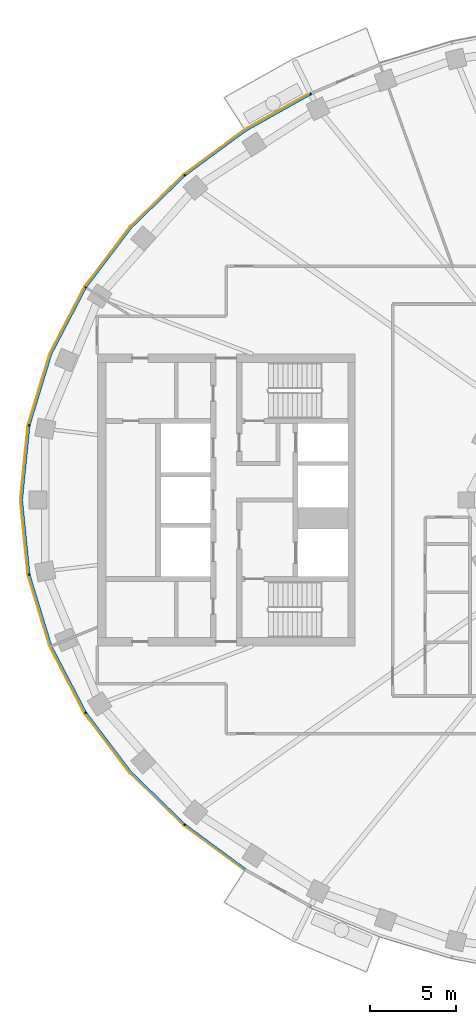
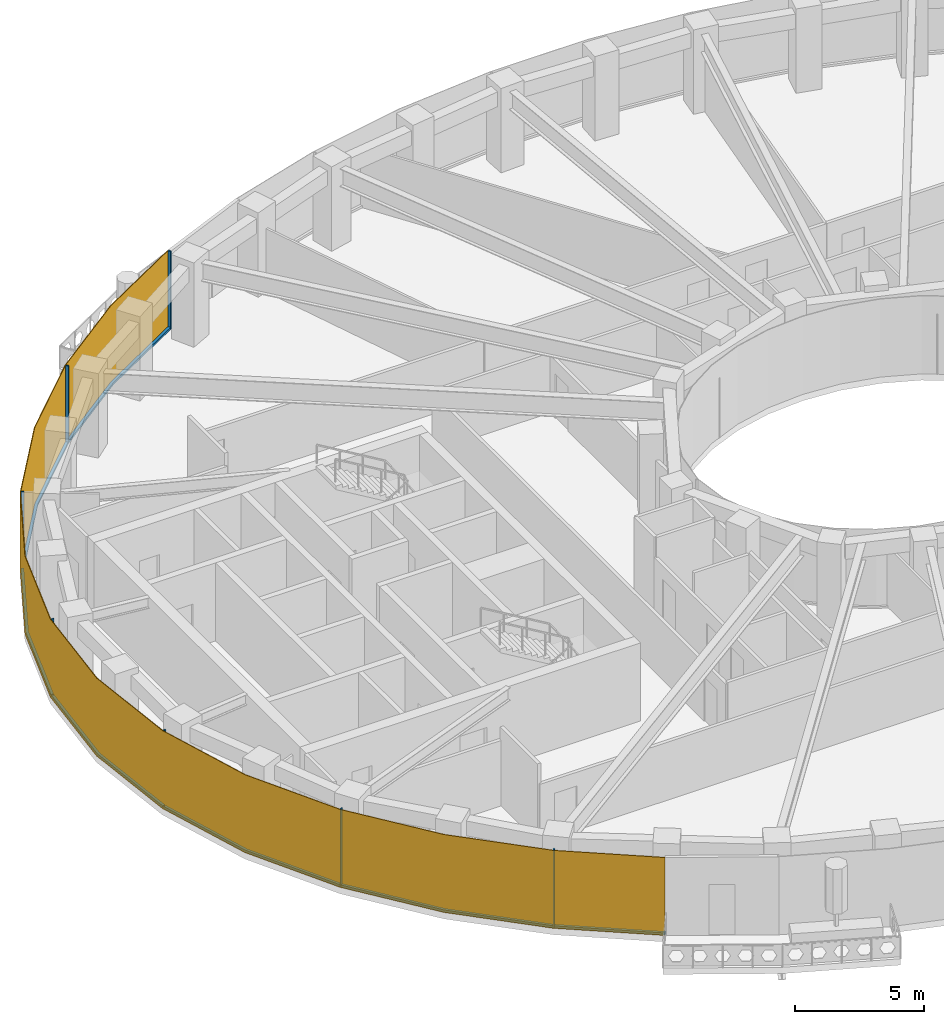
# One storey, part 8 of 15: 14 members, 1 curtain wall.
"""IFC4 building model written with IfcOpenShell, lengths in metres."""

from ifc_helpers import new_model, si_unit, direction, frame, origin, origin_2d, place, context, subcontext, project, spatial, polyline, rectangle, outline, extrude, material, layer, layer_set, material_profile, profile_set, type_object, element, aggregate, save


model = new_model("IFC4")

# Units and contexts
model_context = context("Model", 3, precision=1e-05, world=origin(), true_north=direction((0.0, 1.0)))
body_context = subcontext(model_context, "Body", "Model", "MODEL_VIEW")
ifc_project = project(units=[si_unit("LENGTHUNIT", "METRE"), si_unit("AREAUNIT", "SQUARE_METRE"), si_unit("VOLUMEUNIT", "CUBIC_METRE"), si_unit("PLANEANGLEUNIT", "RADIAN"), si_unit("MASSUNIT", "GRAM", prefix="KILO")], contexts=[model_context])

# Member
ifc_material_1 = material(Name="Aluminium 6063-T6 black anodised", Category="aluminium")
ifc_material_profile = material_profile(ifc_material_1, rectangle(XDim=0.1201171875, YDim=0.06005859375, at=origin_2d()), Name="120x60")
ifc_profile_set = profile_set([ifc_material_profile], Name="Aluminium 6063-T6 black anodised")
member_type_1 = type_object("IfcMemberType", Name="ENV-MULLION-A-120", PredefinedType="MULLION", material=ifc_profile_set)
site_placement = place(None, origin())
building_placement = place(site_placement, origin())
storey_placement = place(building_placement, frame((0.0, 0.0, 277.5)))
member_1_placement = place(storey_placement, frame((-19.06787109375, 23.6474609375, 0.0), z_axis=(0.0, 0.0, 1.0), x_axis=(0.439237769837, -0.898370848563, 0.0)))
member_1 = element("IfcMember", 1, at=member_1_placement, type_object=member_type_1, Name="Mullion A radial 17", PredefinedType="MULLION", context=body_context, shape_type="SweptSolid", body=[
    extrude(rectangle(XDim=0.1201171875, YDim=0.06005859375, at=origin_2d()), origin(), (0.0, 0.0, 1.0), 3.699951171875),
])

member_2_placement = place(storey_placement, frame((-26.403564453125, 18.9130859375, 0.0), z_axis=(0.0, 0.0, 1.0), x_axis=(0.646451313783, -0.762955240435, 0.0)))
member_2 = element("IfcMember", 2, at=member_2_placement, type_object=member_type_1, Name="Mullion A radial 19", PredefinedType="MULLION", context=body_context, shape_type="SweptSolid", body=[
    extrude(rectangle(XDim=0.1201171875, YDim=0.06005859375, at=origin_2d()), origin(), (0.0, 0.0, 1.0), 3.699951171875),
])

member_3_placement = place(storey_placement, frame((-32.177490234375, 12.385498046875, 0.0), z_axis=(0.0, 0.0, 1.0), x_axis=(0.844829880882, -0.53503501976, 0.0)))
member_3 = element("IfcMember", 3, at=member_3_placement, type_object=member_type_1, Name="Mullion A radial 21", PredefinedType="MULLION", context=body_context, shape_type="SweptSolid", body=[
    extrude(rectangle(XDim=0.1201171875, YDim=0.06005859375, at=origin_2d()), origin(), (0.0, 0.0, 1.0), 3.699951171875),
])

member_4_placement = place(storey_placement, frame((-35.470947265625, 4.340576171875, 0.0), z_axis=(0.0, 0.0, 1.0), x_axis=(0.980379083141, -0.19712141776, 0.0)))
member_4 = element("IfcMember", 4, at=member_4_placement, type_object=member_type_1, Name="Mullion A radial 23", PredefinedType="MULLION", context=body_context, shape_type="SweptSolid", body=[
    extrude(rectangle(XDim=0.1201171875, YDim=0.06005859375, at=origin_2d()), origin(), (0.0, 0.0, 1.0), 3.699951171875),
])

member_5_placement = place(storey_placement, frame((-35.470947265625, -4.340576171875, 0.0), z_axis=(0.0, 0.0, 1.0), x_axis=(0.980379083141, 0.19712141776, 0.0)))
member_5 = element("IfcMember", 5, at=member_5_placement, type_object=member_type_1, Name="Mullion A radial 25", PredefinedType="MULLION", context=body_context, shape_type="SweptSolid", body=[
    extrude(rectangle(XDim=0.1201171875, YDim=0.06005859375, at=origin_2d()), origin(), (0.0, 0.0, 1.0), 3.699951171875),
])

member_6_placement = place(storey_placement, frame((-32.177490234375, -12.385498046875, 0.0), z_axis=(0.0, 0.0, 1.0), x_axis=(0.844829880882, 0.53503501976, 0.0)))
member_6 = element("IfcMember", 6, at=member_6_placement, type_object=member_type_1, Name="Mullion A radial 27", PredefinedType="MULLION", context=body_context, shape_type="SweptSolid", body=[
    extrude(rectangle(XDim=0.1201171875, YDim=0.06005859375, at=origin_2d()), origin(), (0.0, 0.0, 1.0), 3.699951171875),
])

member_7_placement = place(storey_placement, frame((-26.403564453125, -18.9130859375, 0.0), z_axis=(0.0, 0.0, 1.0), x_axis=(0.646451313783, 0.762955240435, 0.0)))
member_7 = element("IfcMember", 7, at=member_7_placement, type_object=member_type_1, Name="Mullion A radial 29", PredefinedType="MULLION", context=body_context, shape_type="SweptSolid", body=[
    extrude(rectangle(XDim=0.1201171875, YDim=0.06005859375, at=origin_2d()), origin(), (0.0, 0.0, 1.0), 3.699951171875),
])

ifc_material_2 = material(Name="Aluminium 6063-T6 black anodised", Category="aluminium")
member_type_2 = type_object("IfcMemberType", Name="ENV-TRANSOM-A", PredefinedType="USERDEFINED", material=ifc_material_2)
member_8_placement = place(storey_placement, origin())
member_8 = element("IfcMember", 8, at=member_8_placement, type_object=member_type_2, Name="Transom A radial 17-19", ObjectType="TRANSOM", PredefinedType="USERDEFINED", context=body_context, shape_type="SweptSolid", body=[
    extrude(outline(polyline([(-19.11865234375, 23.687744140625), (-22.9150390625, 21.556884765625), (-26.419921875, 18.975341796875), (-26.342041015625, 18.883544921875), (-22.85009765625, 21.455810546875), (-19.06591796875, 23.57958984375), (-19.11865234375, 23.687744140625)])), origin(), (0.0, 0.0, 1.0), 0.10009765625),
])

member_9_placement = place(storey_placement, origin())
member_9 = element("IfcMember", 9, at=member_9_placement, type_object=member_type_2, Name="Transom A radial 19-21", ObjectType="TRANSOM", PredefinedType="USERDEFINED", context=body_context, shape_type="SweptSolid", body=[
    extrude(outline(polyline([(-26.46240234375, 18.939208984375), (-29.58349609375, 15.906982421875), (-32.211181640625, 12.43994140625), (-32.109375, 12.37548828125), (-29.493408203125, 15.8271484375), (-26.384765625, 18.847412109375), (-26.46240234375, 18.939208984375)])), origin(), (0.0, 0.0, 1.0), 0.10009765625),
])

member_10_placement = place(storey_placement, origin())
member_10 = element("IfcMember", 10, at=member_10_placement, type_object=member_type_2, Name="Transom A radial 21-23", ObjectType="TRANSOM", PredefinedType="USERDEFINED", context=body_context, shape_type="SweptSolid", body=[
    extrude(outline(polyline([(-32.240966796875, 12.392578125), (-34.251220703125, 8.53662109375), (-35.521484375, 4.379150390625), (-35.4033203125, 4.355224609375), (-34.139892578125, 8.490966796875), (-32.139404296875, 12.328369140625), (-32.240966796875, 12.392578125)])), origin(), (0.0, 0.0, 1.0), 0.10009765625),
])

member_11_placement = place(storey_placement, origin())
member_11 = element("IfcMember", 11, at=member_11_placement, type_object=member_type_2, Name="Transom A radial 23-25", ObjectType="TRANSOM", PredefinedType="USERDEFINED", context=body_context, shape_type="SweptSolid", body=[
    extrude(outline(polyline([(-35.532470703125, 4.324462890625), (-35.9677734375, 0.0), (-35.532470703125, -4.324462890625), (-35.414306640625, -4.30078125), (-35.84716796875, 0.0), (-35.414306640625, 4.30078125), (-35.532470703125, 4.324462890625)])), origin(), (0.0, 0.0, 1.0), 0.10009765625),
])

member_12_placement = place(storey_placement, origin())
member_12 = element("IfcMember", 12, at=member_12_placement, type_object=member_type_2, Name="Transom A radial 25-27", ObjectType="TRANSOM", PredefinedType="USERDEFINED", context=body_context, shape_type="SweptSolid", body=[
    extrude(outline(polyline([(-35.521484375, -4.379150390625), (-34.251220703125, -8.53662109375), (-32.240966796875, -12.392578125), (-32.139404296875, -12.328369140625), (-34.139892578125, -8.490966796875), (-35.4033203125, -4.355224609375), (-35.521484375, -4.379150390625)])), origin(), (0.0, 0.0, 1.0), 0.10009765625),
])

member_13_placement = place(storey_placement, origin())
member_13 = element("IfcMember", 13, at=member_13_placement, type_object=member_type_2, Name="Transom A radial 27-29", ObjectType="TRANSOM", PredefinedType="USERDEFINED", context=body_context, shape_type="SweptSolid", body=[
    extrude(outline(polyline([(-32.211181640625, -12.43994140625), (-29.58349609375, -15.906982421875), (-26.46240234375, -18.939208984375), (-26.384765625, -18.847412109375), (-29.493408203125, -15.8271484375), (-32.109375, -12.37548828125), (-32.211181640625, -12.43994140625)])), origin(), (0.0, 0.0, 1.0), 0.10009765625),
])

member_14_placement = place(storey_placement, origin())
member_14 = element("IfcMember", 14, at=member_14_placement, type_object=member_type_2, Name="Transom A radial 29-30", ObjectType="TRANSOM", PredefinedType="USERDEFINED", context=body_context, shape_type="SweptSolid", body=[
    extrude(outline(polyline([(-26.419921875, -18.975341796875), (-22.931396484375, -21.544921875), (-22.8662109375, -21.444091796875), (-26.342041015625, -18.883544921875), (-26.419921875, -18.975341796875)])), origin(), (0.0, 0.0, 1.0), 0.10009765625),
])

# Site, building, storey
site = spatial("IfcSite", under=ifc_project, at=site_placement, CompositionType="ELEMENT")
building = spatial("IfcBuilding", under=site, at=building_placement, Name="Noorbagh Ring Tower", CompositionType="ELEMENT")
storey = spatial("IfcBuildingStorey", under=building, at=storey_placement, Name="L59", CompositionType="ELEMENT", Elevation=277.5)

# Curtain wall
ifc_material_3 = material(Name="Glass dark tinted laminated", Category="glass")
ifc_layer = layer(ifc_material_3, 0.031982421875)
ifc_layer_set = layer_set([ifc_layer], Name="Glass dark tinted laminated")
curtain_wall_type = type_object("IfcCurtainWallType", Name="ENV-CW-A", PredefinedType="NOTDEFINED", material=ifc_layer_set)
curtain_wall_placement = place(storey_placement, origin())
curtain_wall = element("IfcCurtainWall", 15, at=curtain_wall_placement, inside=storey, type_object=curtain_wall_type, Name="Curtain wall A R17", PredefinedType="NOTDEFINED", context=body_context, shape_type="SweptSolid", body=[
    extrude(outline(polyline([(-19.125732421875, 23.720458984375), (-22.9326171875, 21.583740234375), (-26.463134765625, 18.9833984375), (-29.607666015625, 15.927978515625), (-32.255126953125, 12.434814453125), (-34.281005859375, 8.548828125), (-35.561279296875, 4.358642578125), (-36.0, 0.0), (-35.561279296875, -4.358642578125), (-34.281005859375, -8.548828125), (-32.255126953125, -12.434814453125), (-29.607666015625, -15.927978515625), (-26.463134765625, -18.9833984375), (-22.948486328125, -21.572021484375), (-22.931396484375, -21.544921875), (-26.4423828125, -18.958740234375), (-29.58349609375, -15.906982421875), (-32.22802734375, -12.41748046875), (-34.251220703125, -8.53662109375), (-35.529541015625, -4.352294921875), (-35.9677734375, 0.0), (-35.529541015625, 4.352294921875), (-34.251220703125, 8.53662109375), (-32.22802734375, 12.41748046875), (-29.58349609375, 15.906982421875), (-26.4423828125, 18.958740234375), (-22.9150390625, 21.556884765625), (-19.111572265625, 23.691650390625), (-19.125732421875, 23.720458984375)])), origin(), (0.0, 0.0, 1.0), 3.699951171875),
])

aggregate(curtain_wall, [member_1, member_2, member_3, member_4, member_5, member_6, member_7, member_8, member_9, member_10, member_11, member_12, member_13, member_14])

save(model, "model.ifc")
